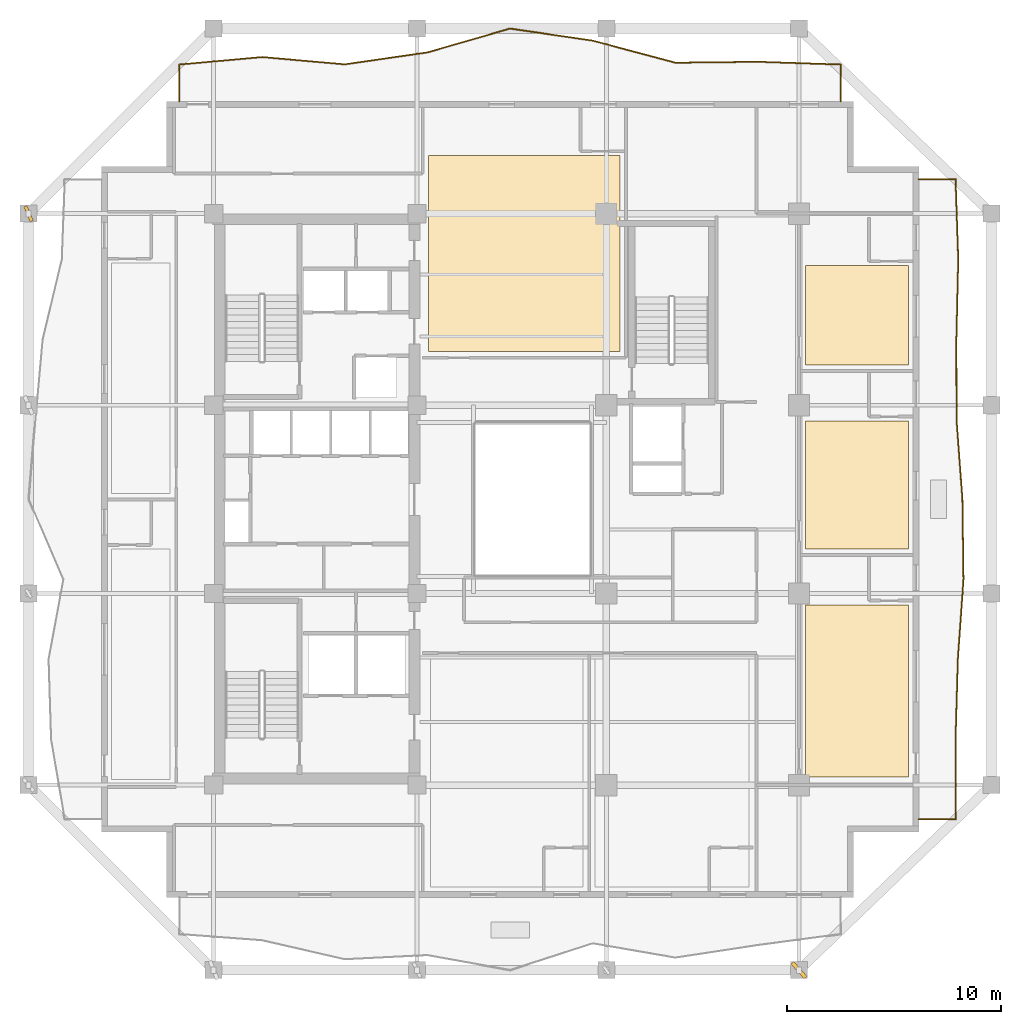
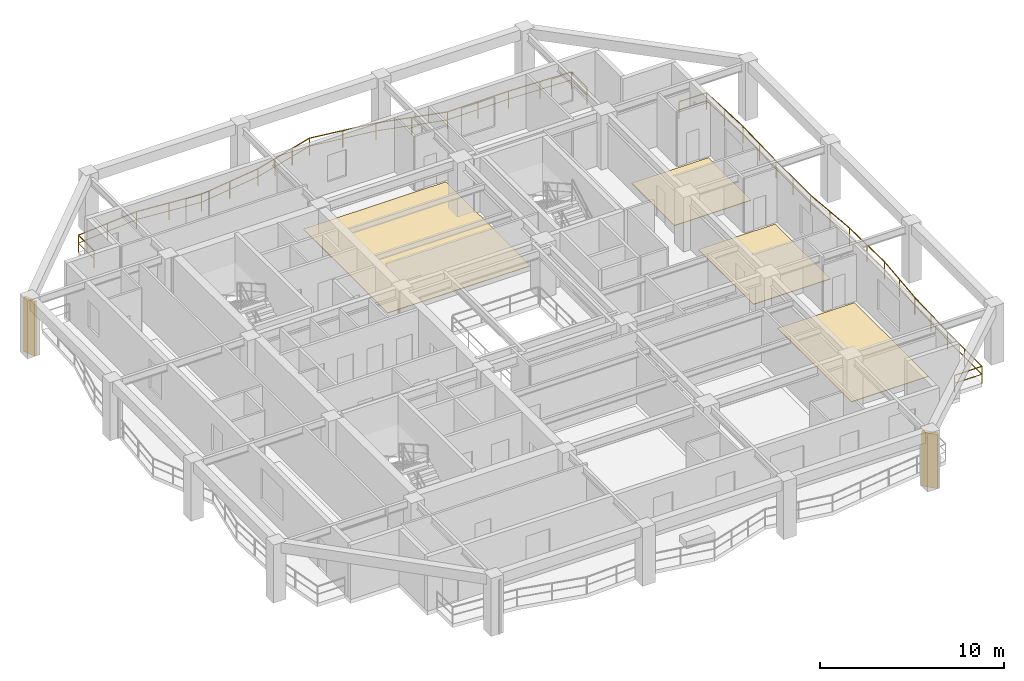
# One storey, part 10 of 11: 4 coverings, 2 railings, 2 shading devices.
"""IFC4 building model written with IfcOpenShell, lengths in metres."""

from ifc_helpers import new_model, si_unit, direction, frame, origin, origin_2d, place, context, subcontext, project, spatial, polyline, rectangle, outline, extrude, material, layer, layer_set, type_object, element, save


model = new_model("IFC4")

# Units and contexts
model_context = context("Model", 3, precision=1e-05, world=origin(), true_north=direction((0.0, 1.0)))
body_context = subcontext(model_context, "Body", "Model", "MODEL_VIEW")
ifc_project = project(units=[si_unit("LENGTHUNIT", "METRE"), si_unit("AREAUNIT", "SQUARE_METRE"), si_unit("VOLUMEUNIT", "CUBIC_METRE"), si_unit("PLANEANGLEUNIT", "RADIAN"), si_unit("MASSUNIT", "GRAM", prefix="KILO")], contexts=[model_context])

# Site, building, storey
site_placement = place(None, origin())
site = spatial("IfcSite", under=ifc_project, at=site_placement, CompositionType="ELEMENT")
building_placement = place(site_placement, origin())
building = spatial("IfcBuilding", under=site, at=building_placement, Name="Kundavana Baori Tower", CompositionType="ELEMENT")
storey_placement = place(building_placement, frame((0.0, 0.0, 119.39990234375)))
storey = spatial("IfcBuildingStorey", under=building, at=storey_placement, Name="L28", CompositionType="ELEMENT", Elevation=119.39990234375)

# Coverings
ifc_material_1 = material(Name="Honed Kota Stone and Terrazzo Flooring", Category="masonry")
ifc_layer = layer(ifc_material_1, 0.0400390625, Name="COV-FLR-TERR-40")
ifc_layer_set = layer_set([ifc_layer], Name="Honed Kota Stone and Terrazzo Flooring")
covering_type = type_object("IfcCoveringType", Name="COV-FLR-TERR-40", PredefinedType="FLOORING", material=ifc_layer_set)
covering_1_placement = place(storey_placement, origin())
element("IfcCovering", 1, at=covering_1_placement, inside=storey, type_object=covering_type, Name="L28 Room Finished Stone Flooring 5", PredefinedType="FLOORING", context=body_context, shape_type="SweptSolid", body=[
    extrude(outline(polyline([(43.10009765625, 15.6298828125), (47.919921875, 15.6298828125), (47.919921875, 23.669921875), (43.10009765625, 23.669921875), (43.10009765625, 15.6298828125)])), origin(), (0.0, 0.0, 1.0), 0.0400390625),
])
covering_2_placement = place(storey_placement, origin())
element("IfcCovering", 2, at=covering_2_placement, inside=storey, type_object=covering_type, Name="L28 Room Finished Stone Flooring 6", PredefinedType="FLOORING", context=body_context, shape_type="SweptSolid", body=[
    extrude(outline(polyline([(43.10009765625, 26.280029296875), (47.919921875, 26.280029296875), (47.919921875, 32.27001953125), (43.10009765625, 32.27001953125), (43.10009765625, 26.280029296875)])), origin(), (0.0, 0.0, 1.0), 0.0400390625),
])
covering_3_placement = place(storey_placement, origin())
element("IfcCovering", 3, at=covering_3_placement, inside=storey, type_object=covering_type, Name="L28 Room Finished Stone Flooring 7", PredefinedType="FLOORING", context=body_context, shape_type="SweptSolid", body=[
    extrude(outline(polyline([(43.10009765625, 34.8798828125), (47.919921875, 34.8798828125), (47.919921875, 39.52001953125), (43.10009765625, 39.52001953125), (43.10009765625, 34.8798828125)])), origin(), (0.0, 0.0, 1.0), 0.0400390625),
])
covering_4_placement = place(storey_placement, origin())
element("IfcCovering", 4, at=covering_4_placement, inside=storey, type_object=covering_type, Name="L28 Room Finished Stone Flooring 8", PredefinedType="FLOORING", context=body_context, shape_type="SweptSolid", body=[
    extrude(outline(polyline([(25.5, 35.5), (34.43994140625, 35.5), (34.43994140625, 44.669921875), (25.5, 44.669921875), (25.5, 35.5)])), origin(), (0.0, 0.0, 1.0), 0.0400390625),
])

# Railings
ifc_material_2 = material(Name="Architectural Patinated Bronze Metalwork")
railing_type = type_object("IfcRailingType", Name="RL-BAL-1150", PredefinedType="BALUSTRADE", material=ifc_material_2)
railing_1_placement = place(storey_placement, frame((48.39990234375, 43.550048828125, 0.0)))
element("IfcRailing", 5, at=railing_1_placement, inside=storey, type_object=railing_type, Name="L28 Loggia Balcony Balustrade E", PredefinedType="BALUSTRADE", context=body_context, shape_type="SweptSolid", body=[
    extrude(rectangle(XDim=0.048095703125, YDim=0.048095703125, at=origin_2d()), frame((0.0, 0.0, 1.1259765625), z_axis=(1.0, 0.0, 0.0), x_axis=(0.0, 1.0, 0.0)), (0.0, 0.0, 1.0), 1.72021484375),
    extrude(rectangle(XDim=0.03125, YDim=0.03125, at=origin_2d()), frame((0.0, 0.0, 0.597900390625), z_axis=(1.0, 0.0, 0.0), x_axis=(0.0, 1.0, 0.0)), (0.0, 0.0, 1.0), 1.72021484375),
    extrude(rectangle(XDim=0.048095703125, YDim=0.048095703125, at=origin_2d()), frame((1.72021484375, 0.0, 1.1259765625), z_axis=(0.033682138295, -0.999432595806, 0.0), x_axis=(0.999432595806, 0.033682138295, 0.0)), (0.0, 0.0, 1.0), 3.740234375),
    extrude(rectangle(XDim=0.03125, YDim=0.03125, at=origin_2d()), frame((1.72021484375, 0.0, 0.597900390625), z_axis=(0.033682138295, -0.999432595806, 0.0), x_axis=(0.999432595806, 0.033682138295, 0.0)), (0.0, 0.0, 1.0), 3.740234375),
    extrude(rectangle(XDim=0.048095703125, YDim=0.048095703125, at=origin_2d()), frame((1.84619140625, -3.738037109375, 1.1259765625), z_axis=(-0.023316322279, -0.999728137603, 0.0), x_axis=(0.999728137603, -0.023316322279, 0.0)), (0.0, 0.0, 1.0), 3.738037109375),
    extrude(rectangle(XDim=0.03125, YDim=0.03125, at=origin_2d()), frame((1.84619140625, -3.738037109375, 0.597900390625), z_axis=(-0.023316322279, -0.999728137603, 0.0), x_axis=(0.999728137603, -0.023316322279, 0.0)), (0.0, 0.0, 1.0), 3.738037109375),
    extrude(rectangle(XDim=0.048095703125, YDim=0.048095703125, at=origin_2d()), frame((1.759033203125, -7.47509765625, 1.1259765625), z_axis=(0.001632810834, -0.999998666964, 0.0), x_axis=(0.999998666964, 0.001632810834, 0.0)), (0.0, 0.0, 1.0), 3.738037109375),
    extrude(rectangle(XDim=0.03125, YDim=0.03125, at=origin_2d()), frame((1.759033203125, -7.47509765625, 0.597900390625), z_axis=(0.001632810834, -0.999998666964, 0.0), x_axis=(0.999998666964, 0.001632810834, 0.0)), (0.0, 0.0, 1.0), 3.738037109375),
    extrude(rectangle(XDim=0.048095703125, YDim=0.048095703125, at=origin_2d()), frame((1.76513671875, -11.213134765625, 1.1259765625), z_axis=(0.073626879626, -0.997285858015, 0.0), x_axis=(0.997285858015, 0.073626879626, 0.0)), (0.0, 0.0, 1.0), 3.7470703125),
    extrude(rectangle(XDim=0.03125, YDim=0.03125, at=origin_2d()), frame((1.76513671875, -11.213134765625, 0.597900390625), z_axis=(0.073626879626, -0.997285858015, 0.0), x_axis=(0.997285858015, 0.073626879626, 0.0)), (0.0, 0.0, 1.0), 3.7470703125),
    extrude(rectangle(XDim=0.048095703125, YDim=0.048095703125, at=origin_2d()), frame((2.041015625, -14.949951171875, 1.1259765625), z_axis=(0.013387866736, -0.999910378496, 0.0), x_axis=(0.999910378496, 0.013387866736, 0.0)), (0.0, 0.0, 1.0), 3.73828125),
    extrude(rectangle(XDim=0.03125, YDim=0.03125, at=origin_2d()), frame((2.041015625, -14.949951171875, 0.597900390625), z_axis=(0.013387866736, -0.999910378496, 0.0), x_axis=(0.999910378496, 0.013387866736, 0.0)), (0.0, 0.0, 1.0), 3.73828125),
    extrude(rectangle(XDim=0.048095703125, YDim=0.048095703125, at=origin_2d()), frame((2.091064453125, -18.68798828125, 1.1259765625), z_axis=(-0.070186450629, -0.997533890225, 0.0), x_axis=(0.997533890225, -0.070186450629, 0.0)), (0.0, 0.0, 1.0), 3.746337890625),
    extrude(rectangle(XDim=0.03125, YDim=0.03125, at=origin_2d()), frame((2.091064453125, -18.68798828125, 0.597900390625), z_axis=(-0.070186450629, -0.997533890225, 0.0), x_axis=(0.997533890225, -0.070186450629, 0.0)), (0.0, 0.0, 1.0), 3.746337890625),
    extrude(rectangle(XDim=0.048095703125, YDim=0.048095703125, at=origin_2d()), frame((1.828125, -22.425048828125, 1.1259765625), z_axis=(-0.028595185843, -0.999591074063, 0.0), x_axis=(0.999591074063, -0.028595185843, 0.0)), (0.0, 0.0, 1.0), 3.739501953125),
    extrude(rectangle(XDim=0.03125, YDim=0.03125, at=origin_2d()), frame((1.828125, -22.425048828125, 0.597900390625), z_axis=(-0.028595185843, -0.999591074063, 0.0), x_axis=(0.999591074063, -0.028595185843, 0.0)), (0.0, 0.0, 1.0), 3.739501953125),
    extrude(rectangle(XDim=0.048095703125, YDim=0.048095703125, at=origin_2d()), frame((1.72119140625, -26.1630859375, 1.1259765625), z_axis=(-0.000261318342, -0.999999965856, 0.0), x_axis=(0.999999965856, -0.000261318342, 0.0)), (0.0, 0.0, 1.0), 3.737060546875),
    extrude(rectangle(XDim=0.03125, YDim=0.03125, at=origin_2d()), frame((1.72119140625, -26.1630859375, 0.597900390625), z_axis=(-0.000261318342, -0.999999965856, 0.0), x_axis=(0.999999965856, -0.000261318342, 0.0)), (0.0, 0.0, 1.0), 3.737060546875),
    extrude(rectangle(XDim=0.048095703125, YDim=0.048095703125, at=origin_2d()), frame((1.72021484375, -29.900146484375, 1.1259765625), z_axis=(-1.0, 0.0, 0.0), x_axis=(0.0, -1.0, 0.0)), (0.0, 0.0, 1.0), 1.72021484375),
    extrude(rectangle(XDim=0.03125, YDim=0.03125, at=origin_2d()), frame((1.72021484375, -29.900146484375, 0.597900390625), z_axis=(-1.0, 0.0, 0.0), x_axis=(0.0, -1.0, 0.0)), (0.0, 0.0, 1.0), 1.72021484375),
    extrude(rectangle(XDim=0.0419921875, YDim=0.0419921875, at=origin_2d()), origin(), (0.0, 0.0, 1.0), 1.101806640625),
    extrude(rectangle(XDim=0.0419921875, YDim=0.0419921875, at=origin_2d()), frame((1.72021484375, 0.0, 0.0)), (0.0, 0.0, 1.0), 1.101806640625),
    extrude(rectangle(XDim=0.0419921875, YDim=0.0419921875, at=origin_2d()), frame((1.783203125, -1.869140625, 0.0)), (0.0, 0.0, 1.0), 1.101806640625),
    extrude(rectangle(XDim=0.0419921875, YDim=0.0419921875, at=origin_2d()), frame((1.84619140625, -3.738037109375, 0.0)), (0.0, 0.0, 1.0), 1.101806640625),
    extrude(rectangle(XDim=0.0419921875, YDim=0.0419921875, at=origin_2d()), frame((1.802734375, -5.6064453125, 0.0)), (0.0, 0.0, 1.0), 1.101806640625),
    extrude(rectangle(XDim=0.0419921875, YDim=0.0419921875, at=origin_2d()), frame((1.759033203125, -7.47509765625, 0.0)), (0.0, 0.0, 1.0), 1.101806640625),
    extrude(rectangle(XDim=0.0419921875, YDim=0.0419921875, at=origin_2d()), frame((1.76220703125, -9.34423828125, 0.0)), (0.0, 0.0, 1.0), 1.101806640625),
    extrude(rectangle(XDim=0.0419921875, YDim=0.0419921875, at=origin_2d()), frame((1.76513671875, -11.213134765625, 0.0)), (0.0, 0.0, 1.0), 1.101806640625),
    extrude(rectangle(XDim=0.0419921875, YDim=0.0419921875, at=origin_2d()), frame((1.903076171875, -13.08154296875, 0.0)), (0.0, 0.0, 1.0), 1.101806640625),
    extrude(rectangle(XDim=0.0419921875, YDim=0.0419921875, at=origin_2d()), frame((2.041015625, -14.949951171875, 0.0)), (0.0, 0.0, 1.0), 1.101806640625),
    extrude(rectangle(XDim=0.0419921875, YDim=0.0419921875, at=origin_2d()), frame((2.06591796875, -16.81884765625, 0.0)), (0.0, 0.0, 1.0), 1.101806640625),
    extrude(rectangle(XDim=0.0419921875, YDim=0.0419921875, at=origin_2d()), frame((2.091064453125, -18.68798828125, 0.0)), (0.0, 0.0, 1.0), 1.101806640625),
    extrude(rectangle(XDim=0.0419921875, YDim=0.0419921875, at=origin_2d()), frame((1.95947265625, -20.556640625, 0.0)), (0.0, 0.0, 1.0), 1.101806640625),
    extrude(rectangle(XDim=0.0419921875, YDim=0.0419921875, at=origin_2d()), frame((1.828125, -22.425048828125, 0.0)), (0.0, 0.0, 1.0), 1.101806640625),
    extrude(rectangle(XDim=0.0419921875, YDim=0.0419921875, at=origin_2d()), frame((1.774658203125, -24.2939453125, 0.0)), (0.0, 0.0, 1.0), 1.101806640625),
    extrude(rectangle(XDim=0.0419921875, YDim=0.0419921875, at=origin_2d()), frame((1.72119140625, -26.1630859375, 0.0)), (0.0, 0.0, 1.0), 1.101806640625),
    extrude(rectangle(XDim=0.0419921875, YDim=0.0419921875, at=origin_2d()), frame((1.720703125, -28.03173828125, 0.0)), (0.0, 0.0, 1.0), 1.101806640625),
    extrude(rectangle(XDim=0.0419921875, YDim=0.0419921875, at=origin_2d()), frame((1.72021484375, -29.900146484375, 0.0)), (0.0, 0.0, 1.0), 1.101806640625),
    extrude(rectangle(XDim=0.0419921875, YDim=0.0419921875, at=origin_2d()), frame((0.0, -29.900146484375, 0.0)), (0.0, 0.0, 1.0), 1.101806640625),
])
railing_2_placement = place(storey_placement, frame((13.85009765625, 47.199951171875, 0.0)))
element("IfcRailing", 6, at=railing_2_placement, inside=storey, type_object=railing_type, Name="L28 Loggia Balcony Balustrade N", PredefinedType="BALUSTRADE", context=body_context, shape_type="SweptSolid", body=[
    extrude(rectangle(XDim=0.048095703125, YDim=0.048095703125, at=origin_2d()), frame((0.0, 0.0, 1.1259765625), z_axis=(0.0, 1.0, 0.0), x_axis=(-1.0, 0.0, 0.0)), (0.0, 0.0, 1.0), 1.719970703125),
    extrude(rectangle(XDim=0.03125, YDim=0.03125, at=origin_2d()), frame((0.0, 0.0, 0.597900390625), z_axis=(0.0, 1.0, 0.0), x_axis=(-1.0, 0.0, 0.0)), (0.0, 0.0, 1.0), 1.719970703125),
    extrude(rectangle(XDim=0.048095703125, YDim=0.048095703125, at=origin_2d()), frame((0.0, 1.719970703125, 1.1259765625), z_axis=(0.995893206468, 0.090535746043, 0.0), x_axis=(-0.090535746043, 0.995893206468, 0.0)), (0.0, 0.0, 1.0), 3.877685546875),
    extrude(rectangle(XDim=0.03125, YDim=0.03125, at=origin_2d()), frame((0.0, 1.719970703125, 0.597900390625), z_axis=(0.995893206468, 0.090535746043, 0.0), x_axis=(-0.090535746043, 0.995893206468, 0.0)), (0.0, 0.0, 1.0), 3.877685546875),
    extrude(rectangle(XDim=0.048095703125, YDim=0.048095703125, at=origin_2d()), frame((3.86181640625, 2.071044921875, 1.1259765625), z_axis=(0.996125147296, -0.087947091624, 0.0), x_axis=(0.087947091624, 0.996125147296, 0.0)), (0.0, 0.0, 1.0), 3.878173828125),
    extrude(rectangle(XDim=0.03125, YDim=0.03125, at=origin_2d()), frame((3.86181640625, 2.071044921875, 0.597900390625), z_axis=(0.996125147296, -0.087947091624, 0.0), x_axis=(0.087947091624, 0.996125147296, 0.0)), (0.0, 0.0, 1.0), 3.878173828125),
    extrude(rectangle(XDim=0.048095703125, YDim=0.048095703125, at=origin_2d()), frame((7.724853515625, 1.72998046875, 1.1259765625), z_axis=(0.989759703555, 0.142743578557, 0.0), x_axis=(-0.142743578557, 0.989759703555, 0.0)), (0.0, 0.0, 1.0), 3.903076171875),
    extrude(rectangle(XDim=0.03125, YDim=0.03125, at=origin_2d()), frame((7.724853515625, 1.72998046875, 0.597900390625), z_axis=(0.989759703555, 0.142743578557, 0.0), x_axis=(-0.142743578557, 0.989759703555, 0.0)), (0.0, 0.0, 1.0), 3.903076171875),
    extrude(rectangle(XDim=0.048095703125, YDim=0.048095703125, at=origin_2d()), frame((11.587890625, 2.287109375, 1.1259765625), z_axis=(0.960891066255, 0.276926630701, 0.0), x_axis=(-0.276926630701, 0.960891066255, 0.0)), (0.0, 0.0, 1.0), 4.019287109375),
    extrude(rectangle(XDim=0.03125, YDim=0.03125, at=origin_2d()), frame((11.587890625, 2.287109375, 0.597900390625), z_axis=(0.960891066255, 0.276926630701, 0.0), x_axis=(-0.276926630701, 0.960891066255, 0.0)), (0.0, 0.0, 1.0), 4.019287109375),
    extrude(rectangle(XDim=0.048095703125, YDim=0.048095703125, at=origin_2d()), frame((15.449951171875, 3.400146484375, 1.1259765625), z_axis=(0.989546558138, -0.144213762439, 0.0), x_axis=(0.144213762439, 0.989546558138, 0.0)), (0.0, 0.0, 1.0), 3.90380859375),
    extrude(rectangle(XDim=0.03125, YDim=0.03125, at=origin_2d()), frame((15.449951171875, 3.400146484375, 0.597900390625), z_axis=(0.989546558138, -0.144213762439, 0.0), x_axis=(0.144213762439, 0.989546558138, 0.0)), (0.0, 0.0, 1.0), 3.90380859375),
    extrude(rectangle(XDim=0.048095703125, YDim=0.048095703125, at=origin_2d()), frame((19.31298828125, 2.837158203125, 1.1259765625), z_axis=(0.966160894299, -0.257940160363, 0.0), x_axis=(0.257940160363, 0.966160894299, 0.0)), (0.0, 0.0, 1.0), 3.9970703125),
    extrude(rectangle(XDim=0.03125, YDim=0.03125, at=origin_2d()), frame((19.31298828125, 2.837158203125, 0.597900390625), z_axis=(0.966160894299, -0.257940160363, 0.0), x_axis=(0.257940160363, 0.966160894299, 0.0)), (0.0, 0.0, 1.0), 3.9970703125),
    extrude(rectangle(XDim=0.048095703125, YDim=0.048095703125, at=origin_2d()), frame((23.1748046875, 1.80615234375, 1.1259765625), z_axis=(0.999935268631, 0.01137798523, 0.0), x_axis=(-0.01137798523, 0.999935268631, 0.0)), (0.0, 0.0, 1.0), 3.8623046875),
    extrude(rectangle(XDim=0.03125, YDim=0.03125, at=origin_2d()), frame((23.1748046875, 1.80615234375, 0.597900390625), z_axis=(0.999935268631, 0.01137798523, 0.0), x_axis=(-0.01137798523, 0.999935268631, 0.0)), (0.0, 0.0, 1.0), 3.8623046875),
    extrude(rectangle(XDim=0.048095703125, YDim=0.048095703125, at=origin_2d()), frame((27.036865234375, 1.85009765625, 1.1259765625), z_axis=(0.999433137972, -0.033666047054, 0.0), x_axis=(0.033666047054, 0.999433137972, 0.0)), (0.0, 0.0, 1.0), 3.865234375),
    extrude(rectangle(XDim=0.03125, YDim=0.03125, at=origin_2d()), frame((27.036865234375, 1.85009765625, 0.597900390625), z_axis=(0.999433137972, -0.033666047054, 0.0), x_axis=(0.033666047054, 0.999433137972, 0.0)), (0.0, 0.0, 1.0), 3.865234375),
    extrude(rectangle(XDim=0.048095703125, YDim=0.048095703125, at=origin_2d()), frame((30.89990234375, 1.719970703125, 1.1259765625), z_axis=(0.0, -1.0, 0.0), x_axis=(1.0, 0.0, 0.0)), (0.0, 0.0, 1.0), 1.719970703125),
    extrude(rectangle(XDim=0.03125, YDim=0.03125, at=origin_2d()), frame((30.89990234375, 1.719970703125, 0.597900390625), z_axis=(0.0, -1.0, 0.0), x_axis=(1.0, 0.0, 0.0)), (0.0, 0.0, 1.0), 1.719970703125),
    extrude(rectangle(XDim=0.0419921875, YDim=0.0419921875, at=origin_2d()), origin(), (0.0, 0.0, 1.0), 1.101806640625),
    extrude(rectangle(XDim=0.0419921875, YDim=0.0419921875, at=origin_2d()), frame((0.0, 1.719970703125, 0.0)), (0.0, 0.0, 1.0), 1.101806640625),
    extrude(rectangle(XDim=0.0419921875, YDim=0.0419921875, at=origin_2d()), frame((1.930908203125, 1.8955078125, 0.0)), (0.0, 0.0, 1.0), 1.101806640625),
    extrude(rectangle(XDim=0.0419921875, YDim=0.0419921875, at=origin_2d()), frame((3.86181640625, 2.071044921875, 0.0)), (0.0, 0.0, 1.0), 1.101806640625),
    extrude(rectangle(XDim=0.0419921875, YDim=0.0419921875, at=origin_2d()), frame((5.79345703125, 1.900390625, 0.0)), (0.0, 0.0, 1.0), 1.101806640625),
    extrude(rectangle(XDim=0.0419921875, YDim=0.0419921875, at=origin_2d()), frame((7.724853515625, 1.72998046875, 0.0)), (0.0, 0.0, 1.0), 1.101806640625),
    extrude(rectangle(XDim=0.0419921875, YDim=0.0419921875, at=origin_2d()), frame((9.65625, 2.008544921875, 0.0)), (0.0, 0.0, 1.0), 1.101806640625),
    extrude(rectangle(XDim=0.0419921875, YDim=0.0419921875, at=origin_2d()), frame((11.587890625, 2.287109375, 0.0)), (0.0, 0.0, 1.0), 1.101806640625),
    extrude(rectangle(XDim=0.0419921875, YDim=0.0419921875, at=origin_2d()), frame((12.875244140625, 2.658203125, 0.0)), (0.0, 0.0, 1.0), 1.101806640625),
    extrude(rectangle(XDim=0.0419921875, YDim=0.0419921875, at=origin_2d()), frame((14.16259765625, 3.029052734375, 0.0)), (0.0, 0.0, 1.0), 1.101806640625),
    extrude(rectangle(XDim=0.0419921875, YDim=0.0419921875, at=origin_2d()), frame((15.449951171875, 3.400146484375, 0.0)), (0.0, 0.0, 1.0), 1.101806640625),
    extrude(rectangle(XDim=0.0419921875, YDim=0.0419921875, at=origin_2d()), frame((17.38134765625, 3.11865234375, 0.0)), (0.0, 0.0, 1.0), 1.101806640625),
    extrude(rectangle(XDim=0.0419921875, YDim=0.0419921875, at=origin_2d()), frame((19.31298828125, 2.837158203125, 0.0)), (0.0, 0.0, 1.0), 1.101806640625),
    extrude(rectangle(XDim=0.0419921875, YDim=0.0419921875, at=origin_2d()), frame((21.243896484375, 2.32177734375, 0.0)), (0.0, 0.0, 1.0), 1.101806640625),
    extrude(rectangle(XDim=0.0419921875, YDim=0.0419921875, at=origin_2d()), frame((23.1748046875, 1.80615234375, 0.0)), (0.0, 0.0, 1.0), 1.101806640625),
    extrude(rectangle(XDim=0.0419921875, YDim=0.0419921875, at=origin_2d()), frame((25.10595703125, 1.828125, 0.0)), (0.0, 0.0, 1.0), 1.101806640625),
    extrude(rectangle(XDim=0.0419921875, YDim=0.0419921875, at=origin_2d()), frame((27.036865234375, 1.85009765625, 0.0)), (0.0, 0.0, 1.0), 1.101806640625),
    extrude(rectangle(XDim=0.0419921875, YDim=0.0419921875, at=origin_2d()), frame((28.96826171875, 1.78515625, 0.0)), (0.0, 0.0, 1.0), 1.101806640625),
    extrude(rectangle(XDim=0.0419921875, YDim=0.0419921875, at=origin_2d()), frame((30.89990234375, 1.719970703125, 0.0)), (0.0, 0.0, 1.0), 1.101806640625),
    extrude(rectangle(XDim=0.0419921875, YDim=0.0419921875, at=origin_2d()), frame((30.89990234375, 0.0, 0.0)), (0.0, 0.0, 1.0), 1.101806640625),
])

# Shading devices
ifc_material_3 = material(Name="Red-Buff Dholpur Sandstone Cladding on Concrete C40/50", Category="masonry")
shading_device_type_1 = type_object("IfcShadingDeviceType", Name="SHD-FIN-750", PredefinedType="JALOUSIE", material=ifc_material_3)
shading_device_1_placement = place(storey_placement, frame((6.800048828125, 41.949951171875, 0.0), z_axis=(0.0, 0.0, 1.0), x_axis=(0.918239148313, 0.396026345721, 0.0)))
element("IfcShadingDevice", 7, at=shading_device_1_placement, inside=storey, type_object=shading_device_type_1, Name="L28 Sweeping Dholpur Sandstone Facade Fin 8", PredefinedType="JALOUSIE", context=body_context, shape_type="SweptSolid", body=[
    extrude(rectangle(XDim=0.159912109375, YDim=0.75, at=origin_2d()), origin(), (0.0, 0.0, 1.0), 3.60009765625),
])
ifc_material_4 = material(Name="Red-Buff Dholpur Sandstone Cladding on Concrete C40/50", Category="masonry")
shading_device_type_2 = type_object("IfcShadingDeviceType", Name="SHD-FIN-920", PredefinedType="JALOUSIE", material=ifc_material_4)
shading_device_2_placement = place(storey_placement, frame((42.800048828125, 6.60009765625, 0.0), z_axis=(0.0, 0.0, 1.0), x_axis=(0.749649204093, 0.66183538044, 0.0)))
element("IfcShadingDevice", 8, at=shading_device_2_placement, inside=storey, type_object=shading_device_type_2, Name="L28 Sweeping Dholpur Sandstone Facade Fin 4", PredefinedType="JALOUSIE", context=body_context, shape_type="SweptSolid", body=[
    extrude(rectangle(XDim=0.179931640625, YDim=0.919921875, at=origin_2d()), origin(), (0.0, 0.0, 1.0), 3.60009765625),
])

save(model, "model.ifc")
